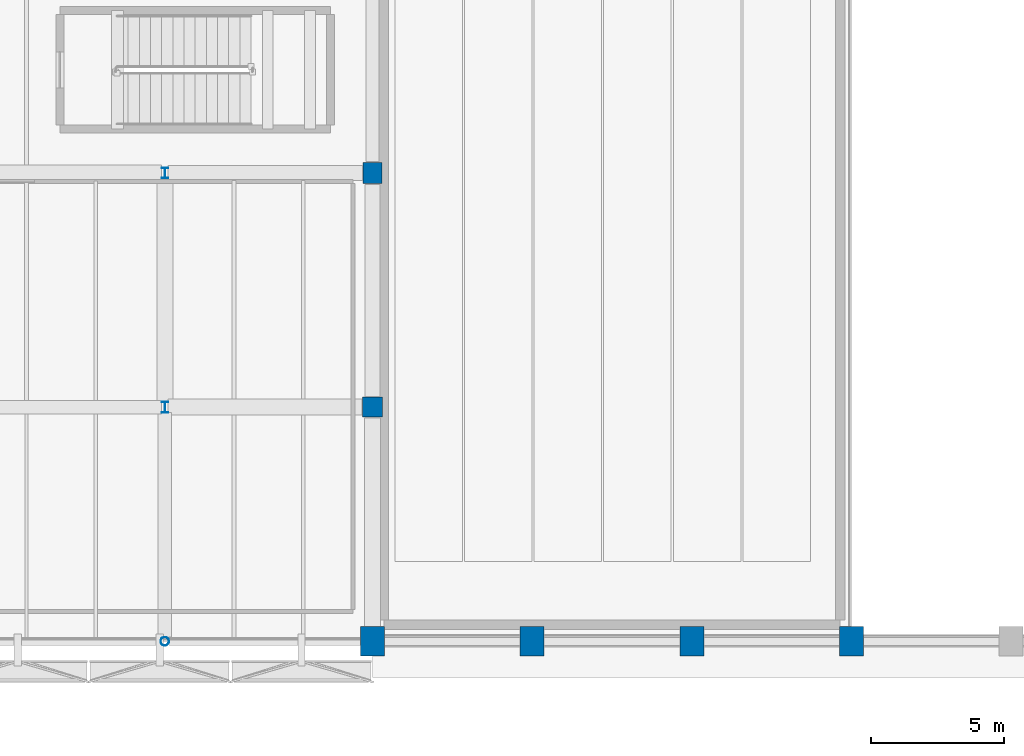
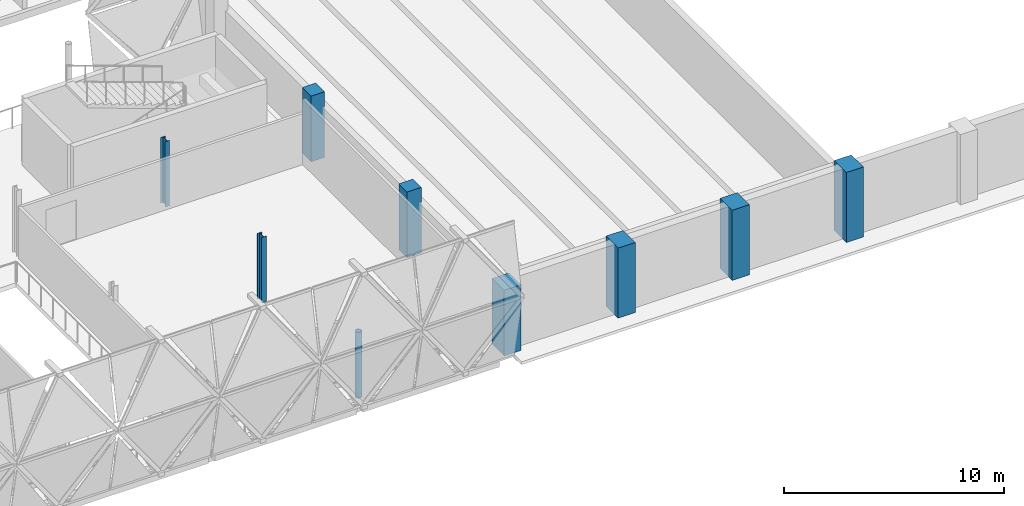
# One storey, part 5 of 80: 9 columns.
"""IFC4 building model written with IfcOpenShell, lengths in metres."""

from ifc_helpers import new_model, si_unit, direction, frame, origin, origin_2d, place, context, subcontext, project, spatial, rectangle, hollow_circle, i_section, extrude, material, material_profile, profile_set, type_object, element, save


model = new_model("IFC4")

# Units and contexts
model_context = context("Model", 3, precision=1e-05, world=origin(), true_north=direction((0.0, 1.0)))
body_context = subcontext(model_context, "Body", "Model", "MODEL_VIEW")
ifc_project = project(units=[si_unit("LENGTHUNIT", "METRE"), si_unit("AREAUNIT", "SQUARE_METRE"), si_unit("VOLUMEUNIT", "CUBIC_METRE"), si_unit("PLANEANGLEUNIT", "RADIAN"), si_unit("MASSUNIT", "GRAM", prefix="KILO")], contexts=[model_context])

# Site, building, storey
site_placement = place(None, origin())
site = spatial("IfcSite", under=ifc_project, at=site_placement, CompositionType="ELEMENT")
building_placement = place(site_placement, origin())
building = spatial("IfcBuilding", under=site, at=building_placement, Name="Varnakota Cinema and Media Centre", CompositionType="ELEMENT")
storey_placement = place(building_placement, frame((0.0, 0.0, 4.5)))
storey = spatial("IfcBuildingStorey", under=building, at=storey_placement, Name="L01", CompositionType="ELEMENT", Elevation=4.5)

# Columns
ifc_material_1 = material(Name="Concrete M40", Category="concrete")
ifc_material_profile_1 = material_profile(ifc_material_1, rectangle(XDim=0.699951171875, YDim=0.800048828125, at=origin_2d()), Name="RC 700x800")
ifc_profile_set_1 = profile_set([ifc_material_profile_1], Name="Concrete M40")
column_type_1 = type_object("IfcColumnType", Name="COL-RC-700x800", PredefinedType="COLUMN", material=ifc_profile_set_1)
column_1_placement = place(storey_placement, frame((75.0, 17.60009765625, 0.0), z_axis=(0.0, 0.0, 1.0), x_axis=(1.0, 0.0, 0.0)))
element("IfcColumn", 1, at=column_1_placement, inside=storey, type_object=column_type_1, Name="L01 column K/3", PredefinedType="COLUMN", context=body_context, shape_type="SweptSolid", body=[
    extrude(rectangle(XDim=0.699951171875, YDim=0.800048828125, at=origin_2d()), origin(), (0.0, 0.0, 1.0), 3.64990234375),
])
ifc_material_2 = material(Name="Concrete M40", Category="concrete")
ifc_material_profile_2 = material_profile(ifc_material_2, rectangle(XDim=0.75, YDim=0.75, at=origin_2d()), Name="RC 750x750")
ifc_profile_set_2 = profile_set([ifc_material_profile_2], Name="Concrete M40")
column_type_2 = type_object("IfcColumnType", Name="COL-RC-750x750", PredefinedType="COLUMN", material=ifc_profile_set_2)
column_2_placement = place(storey_placement, frame((75.0, 8.800048828125, 0.0), z_axis=(0.0, 0.0, 1.0), x_axis=(1.0, 0.0, 0.0)))
element("IfcColumn", 2, at=column_2_placement, inside=storey, type_object=column_type_2, Name="L01 column K/2", PredefinedType="COLUMN", context=body_context, shape_type="SweptSolid", body=[
    extrude(rectangle(XDim=0.75, YDim=0.75, at=origin_2d()), origin(), (0.0, 0.0, 1.0), 3.64990234375),
])
ifc_material_3 = material(Name="Concrete M50", Category="concrete")
ifc_material_profile_3 = material_profile(ifc_material_3, rectangle(XDim=0.89990234375, YDim=1.10009765625, at=origin_2d()), Name="RC 900x1100")
ifc_profile_set_3 = profile_set([ifc_material_profile_3], Name="Concrete M50")
column_type_3 = type_object("IfcColumnType", Name="COL-RC-900x1100", PredefinedType="COLUMN", material=ifc_profile_set_3)
column_3_placement = place(storey_placement, frame((75.0, 0.0, 0.0), z_axis=(0.0, 0.0, 1.0), x_axis=(1.0, 0.0, 0.0)))
element("IfcColumn", 3, at=column_3_placement, inside=storey, type_object=column_type_3, Name="L01 column K/1", PredefinedType="COLUMN", context=body_context, shape_type="SweptSolid", body=[
    extrude(rectangle(XDim=0.89990234375, YDim=1.10009765625, at=origin_2d()), origin(), (0.0, 0.0, 1.0), 3.64990234375),
])
for number, where, z_axis, x_axis, name in (
    (4, (81.0, 0.0, 0.0), (0.0, 0.0, 1.0), (1.0, 0.0, 0.0), "L01 column L/1"),
    (5, (87.0, 0.0, 0.0), (0.0, 0.0, 1.0), (1.0, 0.0, 0.0), "L01 column M/1"),
    (6, (93.0, 0.0, 0.0), (0.0, 0.0, 1.0), (1.0, 0.0, 0.0), "L01 column N/1"),
):
    element("IfcColumn", number, at=place(storey_placement, frame(where, z_axis=z_axis, x_axis=x_axis)), inside=storey, type_object=column_type_3, Name=name, PredefinedType="COLUMN", context=body_context, shape_type="SweptSolid", body=[
        extrude(rectangle(XDim=0.89990234375, YDim=1.10009765625, at=origin_2d()), origin(), (0.0, 0.0, 1.0), 3.89990234375),
    ])
ifc_material_4 = material(Name="Structural steel S355 (YSt 355)", Category="steel")
ifc_material_profile_4 = material_profile(ifc_material_4, hollow_circle(Radius=0.161865234375, WallThickness=0.010009765625, at=origin_2d()), Name="CHS 323.9x10.0")
ifc_profile_set_4 = profile_set([ifc_material_profile_4], Name="Structural steel S355 (YSt 355)")
column_type_4 = type_object("IfcColumnType", Name="COL-ST-CHS324", PredefinedType="COLUMN", material=ifc_profile_set_4)
column_4_placement = place(storey_placement, frame((67.199951171875, 0.0, 0.0), z_axis=(0.0, 0.0, 1.0), x_axis=(1.0, 0.0, 0.0)))
element("IfcColumn", 7, at=column_4_placement, inside=storey, type_object=column_type_4, Name="L01 column J/1", PredefinedType="COLUMN", context=body_context, shape_type="SweptSolid", body=[
    extrude(hollow_circle(Radius=0.161865234375, WallThickness=0.010009765625, at=origin_2d()), origin(), (0.0, 0.0, 1.0), 3.64990234375),
])
ifc_material_5 = material(Name="Structural steel Grade 350 (E350)", Category="steel")
ifc_material_profile_5 = material_profile(ifc_material_5, i_section(OverallWidth=0.25, OverallDepth=0.39990234375, WebThickness=0.010498046875, FlangeThickness=0.0126953125, FilletRadius=0.011962890625, at=origin_2d()), Name="ISHB 400")
ifc_profile_set_5 = profile_set([ifc_material_profile_5], Name="Structural steel Grade 350 (E350)")
column_type_5 = type_object("IfcColumnType", Name="COL-ST-ISHB400", PredefinedType="COLUMN", material=ifc_profile_set_5)
for number, where, z_axis, x_axis, name in (
    (8, (67.199951171875, 8.800048828125, 0.0), (0.0, 0.0, 1.0), (1.0, 0.0, 0.0), "L01 column J/2"),
    (9, (67.199951171875, 17.60009765625, 0.0), (0.0, 0.0, 1.0), (1.0, 0.0, 0.0), "L01 column J/3"),
):
    element("IfcColumn", number, at=place(storey_placement, frame(where, z_axis=z_axis, x_axis=x_axis)), inside=storey, type_object=column_type_5, Name=name, PredefinedType="COLUMN", context=body_context, shape_type="SweptSolid", body=[
        extrude(i_section(OverallWidth=0.25, OverallDepth=0.39990234375, WebThickness=0.010498046875, FlangeThickness=0.0126953125, FilletRadius=0.011962890625, at=origin_2d()), origin(), (0.0, 0.0, 1.0), 3.64990234375),
    ])

save(model, "model.ifc")
